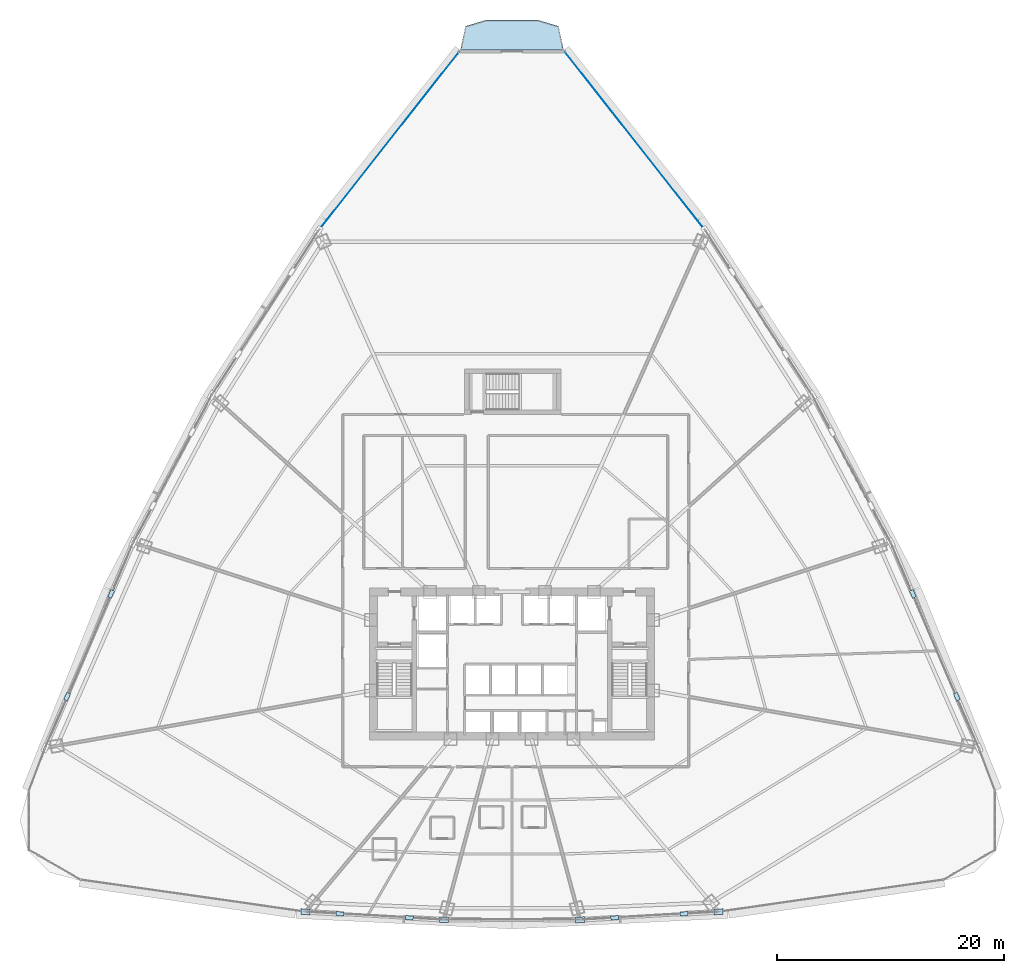
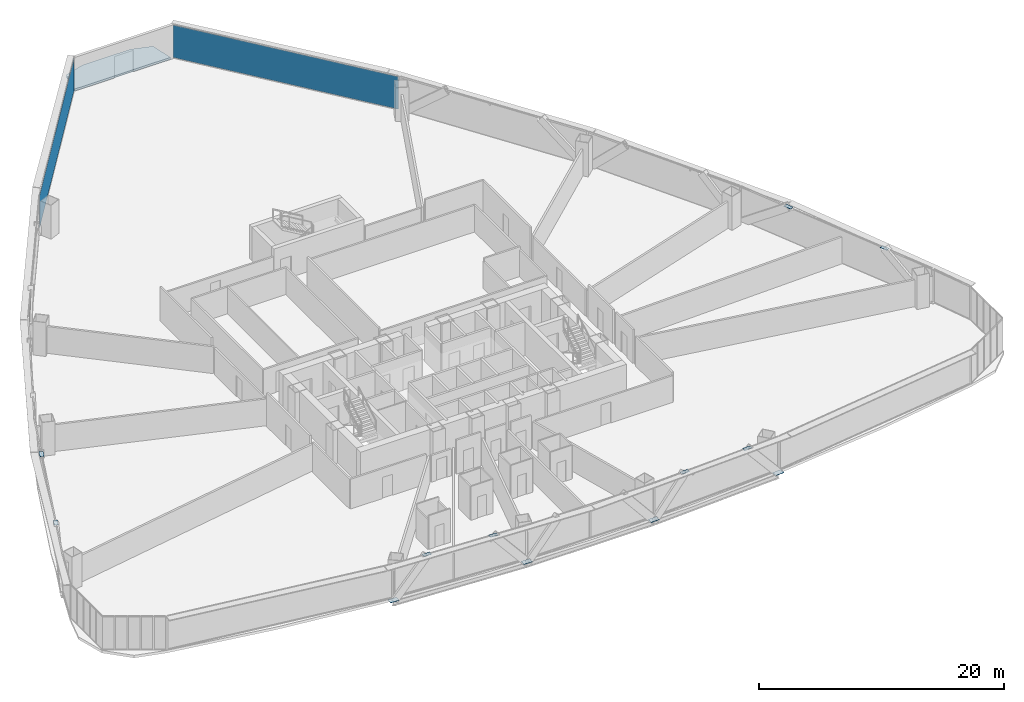
# One storey, part 32 of 41: 14 plates, 1 slab, 2 elements without a shape of their own.
"""IFC4 building model written with IfcOpenShell, lengths in metres."""

from ifc_helpers import new_model, si_unit, direction, frame, origin, origin_2d, place, context, subcontext, project, spatial, polyline, rectangle, outline, extrude, source, transform, mapped, material, layer, layer_set, type_object, element, aggregate, save


model = new_model("IFC4")

# Units and contexts
model_context = context("Model", 3, precision=1e-05, world=origin(), true_north=direction((0.0, 1.0)))
body_context = subcontext(model_context, "Body", "Model", "MODEL_VIEW")
ifc_project = project(units=[si_unit("LENGTHUNIT", "METRE"), si_unit("AREAUNIT", "SQUARE_METRE"), si_unit("VOLUMEUNIT", "CUBIC_METRE"), si_unit("PLANEANGLEUNIT", "RADIAN"), si_unit("MASSUNIT", "GRAM", prefix="KILO"), si_unit("THERMODYNAMICTEMPERATUREUNIT", "KELVIN"), si_unit("POWERUNIT", "WATT")], contexts=[model_context])

# Site, building, storey
site_placement = place(None, origin())
site = spatial("IfcSite", under=ifc_project, at=site_placement, CompositionType="ELEMENT")
building_placement = place(site_placement, origin())
building = spatial("IfcBuilding", under=site, at=building_placement, Name="Yunzhuo Pagoda Commons", CompositionType="ELEMENT")
storey_placement = place(building_placement, frame((0.0, 0.0, 63.070068359375)))
storey = spatial("IfcBuildingStorey", under=building, at=storey_placement, Name="L16", CompositionType="ELEMENT", Elevation=63.070068359375)

# Slab
ifc_material_1 = material(Name="Concrete C40", Category="concrete")
ifc_layer_1 = layer(ifc_material_1, 0.199951171875)
ifc_layer_set_1 = layer_set([ifc_layer_1], Name="Concrete C40")
slab_type = type_object("IfcSlabType", Name="SL-BAL Vertex Balcony Deck Slab 200", PredefinedType="FLOOR", material=ifc_layer_set_1)
slab_placement = place(storey_placement, frame((0.0, 0.0, -0.199951171875)))
element("IfcSlab", 1, at=slab_placement, inside=storey, type_object=slab_type, Name="L16 corner balcony V3", PredefinedType="FLOOR", context=body_context, shape_type="SweptSolid", body=[
    extrude(outline(polyline([(52.54296875, 87.8701171875), (43.45703125, 87.8701171875), (43.906982421875, 89.965087890625), (45.728515625, 90.51513671875), (50.271484375, 90.51513671875), (52.093017578125, 89.965087890625), (52.54296875, 87.8701171875)])), origin(), (0.0, 0.0, 1.0), 0.199951171875),
])

# Plates
ifc_material_2 = material(Name="Structural steel Q355B", Category="steel")
ifc_layer_2 = layer(ifc_material_2, 0.028076171875)
ifc_layer_set_2 = layer_set([ifc_layer_2], Name="Structural steel Q355B")
plate_type_1 = type_object("IfcPlateType", Name="SP-ND1 Lattice Node Cap Plate 800x500x28", PredefinedType="USERDEFINED", material=ifc_layer_set_2)
shared_shape_1 = source(origin(), body_context, "Body", "SweptSolid", [
    extrude(rectangle(XDim=0.800048828125, YDim=0.5, at=origin_2d()), origin(), (0.0, 0.0, 1.0), 0.028076171875),
])
for number, where, z_axis, x_axis, name in (
    (2, (29.8251953125, 12.0400390625, -0.27392578125), (0.0, 0.0, 1.0), (0.998342821144, -0.057546602599, 0.0), "L16 diamond node plate F1.1A"),
    (3, (42.008056640625, 11.337890625, -0.27392578125), (0.0, 0.0, 1.0), (1.0, 0.0, 0.0), "L16 diamond node plate F1.2A"),
    (4, (53.991943359375, 11.337890625, -0.27392578125), (0.0, 0.0, 1.0), (0.998342821144, 0.057546602599, 0.0), "L16 diamond node plate F1.3A"),
    (5, (66.1748046875, 12.0400390625, -0.27392578125), (0.0, 0.0, 1.0), (0.998342821144, 0.057546602599, 0.0), "L16 diamond node plate F1.3B"),
):
    element("IfcPlate", number, at=place(storey_placement, frame(where, z_axis=z_axis, x_axis=x_axis)), inside=storey, type_object=plate_type_1, Name=name, ObjectType="STIFFENER_PLATE", PredefinedType="USERDEFINED", context=body_context, shape_type="MappedRepresentation", body=[
        mapped(shared_shape_1, transform((0.0, 0.0, 0.0), scale=1.0)),
    ])
shared_shape_2 = source(origin(), body_context, "Body", "SweptSolid", [
    extrude(rectangle(XDim=0.699951171875, YDim=0.35009765625, at=origin_2d()), origin(), (0.0, 0.0, 1.0), 0.035888671875),
])
for number, where, z_axis, x_axis, name in (
    (6, (32.870849609375, 11.864501953125, 3.33203125), (0.0, 0.0, 1.0), (0.998342821144, -0.057546602599, 0.0), "L16 setback lattice tie plate F1.1L"),
    (7, (38.96240234375, 11.51318359375, 3.33203125), (0.0, 0.0, 1.0), (0.998342821144, -0.057546602599, 0.0), "L16 setback lattice tie plate F1.1R"),
    (8, (57.03759765625, 11.51318359375, 3.33203125), (0.0, 0.0, 1.0), (0.998342821144, 0.057546602599, 0.0), "L16 setback lattice tie plate F1.3L"),
    (9, (63.129150390625, 11.864501953125, 3.33203125), (0.0, 0.0, 1.0), (0.998342821144, 0.057546602599, 0.0), "L16 setback lattice tie plate F1.3R"),
    (10, (87.144775390625, 30.974853515625, 3.33203125), (0.0, 0.0, 1.0), (-0.393973993227, 0.91912158753, 0.0), "L16 setback lattice tie plate F2.1L"),
    (11, (83.27099609375, 40.01220703125, 3.33203125), (0.0, 0.0, 1.0), (-0.393973993227, 0.91912158753, 0.0), "L16 setback lattice tie plate F2.1R"),
    (12, (12.72900390625, 40.01220703125, 3.33203125), (0.0, 0.0, 1.0), (-0.393973993227, -0.91912158753, 0.0), "L16 setback lattice tie plate F3.3L"),
    (13, (8.855224609375, 30.974853515625, 3.33203125), (0.0, 0.0, 1.0), (-0.393973993227, -0.91912158753, 0.0), "L16 setback lattice tie plate F3.3R"),
):
    element("IfcPlate", number, at=place(storey_placement, frame(where, z_axis=z_axis, x_axis=x_axis)), inside=storey, type_object=plate_type_1, Name=name, ObjectType="STIFFENER_PLATE", PredefinedType="USERDEFINED", context=body_context, shape_type="MappedRepresentation", body=[
        mapped(shared_shape_2, transform((0.0, 0.0, 0.0), scale=1.0)),
    ])

# Curtain wall, plate
ifc_material_3 = material(Name="Anodized aluminium 6063-T6", Category="aluminium")
ifc_layer_3 = layer(ifc_material_3, 0.1650390625)
ifc_layer_set_3 = layer_set([ifc_layer_3], Name="Anodized aluminium 6063-T6")
curtain_wall_type = type_object("IfcCurtainWallType", Name="CW-LOW Low-Zone Ribbon Curtain Wall", PredefinedType="NOTDEFINED", material=ifc_layer_set_3)
curtain_wall_1_placement = place(storey_placement, origin())
curtain_wall_1 = element("IfcCurtainWall", 14, at=curtain_wall_1_placement, inside=storey, type_object=curtain_wall_type, Name="L16 curtain wall CW-L16-F2B5", PredefinedType="NOTDEFINED")
ifc_material_4 = material(Name="Tempered low-e double glazing", Category="glass")
ifc_layer_4 = layer(ifc_material_4, 0.028076171875)
ifc_layer_set_4 = layer_set([ifc_layer_4], Name="Tempered low-e double glazing")
plate_type_2 = type_object("IfcPlateType", Name="CW-LOW-P Low-E Double Glazing 28", PredefinedType="CURTAIN_PANEL", material=ifc_layer_set_4)
shared_shape_3 = source(origin(), body_context, "Body", "SweptSolid", [
    extrude(rectangle(XDim=19.854248046875, YDim=0.028076171875, at=origin_2d()), origin(), (0.0, 0.0, 1.0), 3.25),
])
plate_1_placement = place(storey_placement, frame((58.814697265625, 79.880859375, 0.059814453125), z_axis=(0.0, 0.0, 1.0), x_axis=(-0.618168232602, 0.78604582322, 0.0)))
plate_1 = element("IfcPlate", 15, at=plate_1_placement, type_object=plate_type_2, Name="CW panel 1.1", PredefinedType="CURTAIN_PANEL", context=body_context, shape_type="MappedRepresentation", body=[
    mapped(shared_shape_3, transform((0.0, 0.0, 0.0), scale=1.0)),
])
aggregate(curtain_wall_1, [plate_1])

curtain_wall_2_placement = place(storey_placement, origin())
curtain_wall_2 = element("IfcCurtainWall", 16, at=curtain_wall_2_placement, inside=storey, type_object=curtain_wall_type, Name="L16 curtain wall CW-L16-F3B1", PredefinedType="NOTDEFINED")
plate_2_placement = place(storey_placement, frame((37.185302734375, 79.880859375, 0.059814453125), z_axis=(0.0, 0.0, 1.0), x_axis=(-0.618168232602, -0.78604582322, 0.0)))
plate_2 = element("IfcPlate", 17, at=plate_2_placement, type_object=plate_type_2, Name="CW panel 1.1", PredefinedType="CURTAIN_PANEL", context=body_context, shape_type="MappedRepresentation", body=[
    mapped(shared_shape_3, transform((0.0, 0.0, 0.0), scale=1.0)),
])
aggregate(curtain_wall_2, [plate_2])

save(model, "model.ifc")
